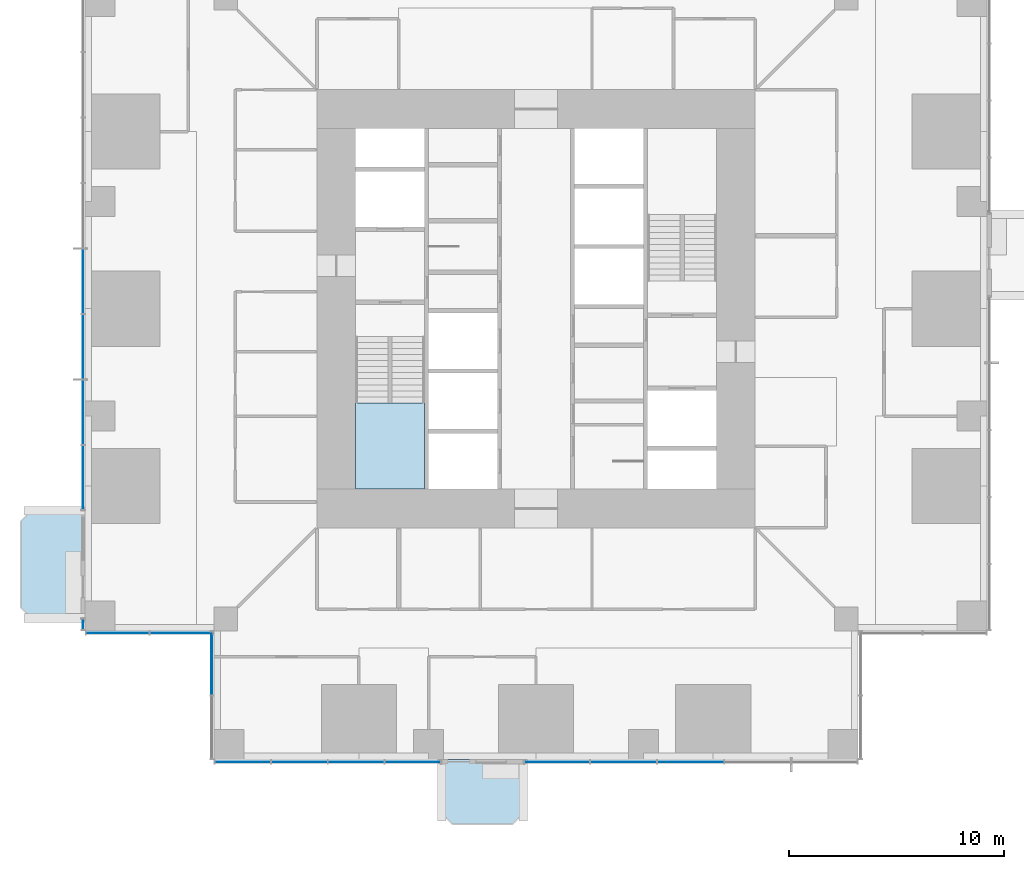
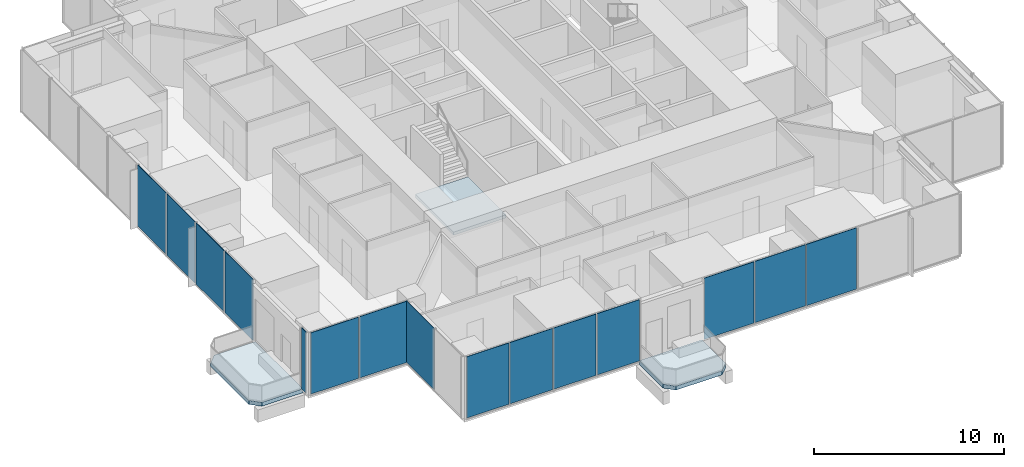
# One storey, part 8 of 17: 15 plates, 3 slabs, 7 elements without a shape of their own.
"""IFC4 building model written with IfcOpenShell, lengths in metres."""

from ifc_helpers import new_model, si_unit, direction, frame, origin, origin_2d, place, context, subcontext, project, spatial, polyline, rectangle, outline, extrude, material, layer, layer_set, type_object, element, aggregate, save


model = new_model("IFC4")

# Units and contexts
model_context = context("Model", 3, precision=1e-05, world=origin(), true_north=direction((0.0, 1.0)))
body_context = subcontext(model_context, "Body", "Model", "MODEL_VIEW")
ifc_project = project(units=[si_unit("LENGTHUNIT", "METRE"), si_unit("AREAUNIT", "SQUARE_METRE"), si_unit("VOLUMEUNIT", "CUBIC_METRE"), si_unit("PLANEANGLEUNIT", "RADIAN"), si_unit("MASSUNIT", "GRAM", prefix="KILO")], contexts=[model_context])

# Site, building, storey
site_placement = place(None, origin())
site = spatial("IfcSite", under=ifc_project, at=site_placement, CompositionType="ELEMENT")
building_placement = place(site_placement, origin())
building = spatial("IfcBuilding", under=site, at=building_placement, Name="Svetlomir Tower", CompositionType="ELEMENT")
storey_placement = place(building_placement, frame((0.0, 0.0, 70.5)))
storey = spatial("IfcBuildingStorey", under=building, at=storey_placement, Name="L16", CompositionType="ELEMENT", Elevation=70.5)

# Slabs
ifc_material_1 = material(Name="Concrete C60/75", Category="concrete")
ifc_layer_1 = layer(ifc_material_1, 0.25)
ifc_layer_set_1 = layer_set([ifc_layer_1], Name="Concrete C60/75")
slab_type_1 = type_object("IfcSlabType", Name="BALCONY SLAB 250", PredefinedType="FLOOR", material=ifc_layer_set_1)
slab_1_placement = place(storey_placement, frame((0.0, 0.0, -0.25)))
element("IfcSlab", 1, at=slab_1_placement, inside=storey, type_object=slab_type_1, Name="L16 S planted balcony", PredefinedType="FLOOR", context=body_context, shape_type="SweptSolid", body=[
    extrude(outline(polyline([(16.60009765625, -2.5), (17.10009765625, -3.0), (19.89990234375, -3.0), (20.39990234375, -2.5), (20.39990234375, 0.0), (16.60009765625, 0.0), (16.60009765625, -2.5)])), origin(), (0.0, 0.0, 1.0), 0.25),
])
slab_2_placement = place(storey_placement, frame((0.0, 0.0, -0.25)))
element("IfcSlab", 2, at=slab_2_placement, inside=storey, type_object=slab_type_1, Name="L16 W planted balcony", PredefinedType="FLOOR", context=body_context, shape_type="SweptSolid", body=[
    extrude(outline(polyline([(-2.5, 6.60009765625), (0.0, 6.60009765625), (0.0, 11.60009765625), (-2.5, 11.60009765625), (-3.0, 11.10009765625), (-3.0, 7.10009765625), (-2.5, 6.60009765625)])), origin(), (0.0, 0.0, 1.0), 0.25),
])

# Curtain wall, plates
ifc_material_2 = material(Name="Bronze anodised aluminium curtain wall", Category="aluminium")
curtain_wall_type = type_object("IfcCurtainWallType", Name="CURTAIN WALL CW1 TOWER OFFICE", PredefinedType="NOTDEFINED", material=ifc_material_2)
curtain_wall_1_placement = place(storey_placement, origin())
curtain_wall_1 = element("IfcCurtainWall", 3, at=curtain_wall_1_placement, inside=storey, type_object=curtain_wall_type, Name="Curtain wall CW1 L16", PredefinedType="NOTDEFINED")
ifc_material_3 = material(Name="Tinted double glazed unit", Category="glass")
ifc_layer_2 = layer(ifc_material_3, 0.031982421875)
ifc_layer_set_2 = layer_set([ifc_layer_2], Name="Tinted double glazed unit")
plate_type = type_object("IfcPlateType", Name="CW1 GLAZED PANEL 32", PredefinedType="CURTAIN_PANEL", material=ifc_layer_set_2)
plate_1_placement = place(storey_placement, frame((7.34130859375, -0.10009765625, 0.06494140625), z_axis=(0.0, 0.0, 1.0), x_axis=(1.0, 0.0, 0.0)))
plate_1 = element("IfcPlate", 4, at=plate_1_placement, type_object=plate_type, Name="CW1 panel 1.1", PredefinedType="CURTAIN_PANEL", context=body_context, shape_type="SweptSolid", body=[
    extrude(rectangle(XDim=2.552490234375, YDim=0.031982421875, at=origin_2d()), origin(), (0.0, 0.0, 1.0), 3.93505859375),
])
plate_2_placement = place(storey_placement, frame((9.97509765625, -0.10009765625, 0.06494140625), z_axis=(0.0, 0.0, 1.0), x_axis=(1.0, 0.0, 0.0)))
plate_2 = element("IfcPlate", 5, at=plate_2_placement, type_object=plate_type, Name="CW1 panel 2.1", PredefinedType="CURTAIN_PANEL", context=body_context, shape_type="SweptSolid", body=[
    extrude(rectangle(XDim=2.5849609375, YDim=0.031982421875, at=origin_2d()), origin(), (0.0, 0.0, 1.0), 3.93505859375),
])
plate_3_placement = place(storey_placement, frame((12.625, -0.10009765625, 0.06494140625), z_axis=(0.0, 0.0, 1.0), x_axis=(1.0, 0.0, 0.0)))
plate_3 = element("IfcPlate", 6, at=plate_3_placement, type_object=plate_type, Name="CW1 panel 3.1", PredefinedType="CURTAIN_PANEL", context=body_context, shape_type="SweptSolid", body=[
    extrude(rectangle(XDim=2.5849609375, YDim=0.031982421875, at=origin_2d()), origin(), (0.0, 0.0, 1.0), 3.93505859375),
])
plate_4_placement = place(storey_placement, frame((15.2587890625, -0.10009765625, 0.06494140625), z_axis=(0.0, 0.0, 1.0), x_axis=(1.0, 0.0, 0.0)))
plate_4 = element("IfcPlate", 7, at=plate_4_placement, type_object=plate_type, Name="CW1 panel 4.1", PredefinedType="CURTAIN_PANEL", context=body_context, shape_type="SweptSolid", body=[
    extrude(rectangle(XDim=2.552490234375, YDim=0.031982421875, at=origin_2d()), origin(), (0.0, 0.0, 1.0), 3.93505859375),
])
aggregate(curtain_wall_1, [plate_1, plate_2, plate_3, plate_4])

curtain_wall_2_placement = place(storey_placement, origin())
curtain_wall_2 = element("IfcCurtainWall", 8, at=curtain_wall_2_placement, inside=storey, type_object=curtain_wall_type, Name="Curtain wall CW1 L16", PredefinedType="NOTDEFINED")
plate_5_placement = place(storey_placement, frame((21.976318359375, -0.10009765625, 0.06494140625), z_axis=(0.0, 0.0, 1.0), x_axis=(1.0, 0.0, 0.0)))
plate_5 = element("IfcPlate", 9, at=plate_5_placement, type_object=plate_type, Name="CW1 panel 1.1", PredefinedType="CURTAIN_PANEL", context=body_context, shape_type="SweptSolid", body=[
    extrude(rectangle(XDim=3.0224609375, YDim=0.031982421875, at=origin_2d()), origin(), (0.0, 0.0, 1.0), 3.93505859375),
])
plate_6_placement = place(storey_placement, frame((25.080078125, -0.10009765625, 0.06494140625), z_axis=(0.0, 0.0, 1.0), x_axis=(1.0, 0.0, 0.0)))
plate_6 = element("IfcPlate", 10, at=plate_6_placement, type_object=plate_type, Name="CW1 panel 2.1", PredefinedType="CURTAIN_PANEL", context=body_context, shape_type="SweptSolid", body=[
    extrude(rectangle(XDim=3.054931640625, YDim=0.031982421875, at=origin_2d()), origin(), (0.0, 0.0, 1.0), 3.93505859375),
])
plate_7_placement = place(storey_placement, frame((28.199951171875, -0.10009765625, 0.06494140625), z_axis=(0.0, 0.0, 1.0), x_axis=(1.0, 0.0, 0.0)))
plate_7 = element("IfcPlate", 11, at=plate_7_placement, type_object=plate_type, Name="CW1 panel 3.1", PredefinedType="CURTAIN_PANEL", context=body_context, shape_type="SweptSolid", body=[
    extrude(rectangle(XDim=3.054931640625, YDim=0.031982421875, at=origin_2d()), origin(), (0.0, 0.0, 1.0), 3.93505859375),
])
aggregate(curtain_wall_2, [plate_5, plate_6, plate_7])

curtain_wall_3_placement = place(storey_placement, origin())
curtain_wall_3 = element("IfcCurtainWall", 12, at=curtain_wall_3_placement, inside=storey, type_object=curtain_wall_type, Name="Curtain wall CW1 L16", PredefinedType="NOTDEFINED")
plate_8_placement = place(storey_placement, frame((-0.10009765625, 22.27490234375, 0.06494140625), z_axis=(0.0, 0.0, 1.0), x_axis=(0.0, -1.0, 0.0)))
plate_8 = element("IfcPlate", 13, at=plate_8_placement, type_object=plate_type, Name="CW1 panel 5.1", PredefinedType="CURTAIN_PANEL", context=body_context, shape_type="SweptSolid", body=[
    extrude(rectangle(XDim=2.985107421875, YDim=0.031982421875, at=origin_2d()), origin(), (0.0, 0.0, 1.0), 3.93505859375),
])
plate_9_placement = place(storey_placement, frame((-0.10009765625, 19.22509765625, 0.06494140625), z_axis=(0.0, 0.0, 1.0), x_axis=(0.0, -1.0, 0.0)))
plate_9 = element("IfcPlate", 14, at=plate_9_placement, type_object=plate_type, Name="CW1 panel 6.1", PredefinedType="CURTAIN_PANEL", context=body_context, shape_type="SweptSolid", body=[
    extrude(rectangle(XDim=2.985107421875, YDim=0.031982421875, at=origin_2d()), origin(), (0.0, 0.0, 1.0), 3.93505859375),
])
plate_10_placement = place(storey_placement, frame((-0.10009765625, 16.175048828125, 0.06494140625), z_axis=(0.0, 0.0, 1.0), x_axis=(0.0, -1.0, 0.0)))
plate_10 = element("IfcPlate", 15, at=plate_10_placement, type_object=plate_type, Name="CW1 panel 7.1", PredefinedType="CURTAIN_PANEL", context=body_context, shape_type="SweptSolid", body=[
    extrude(rectangle(XDim=2.985107421875, YDim=0.031982421875, at=origin_2d()), origin(), (0.0, 0.0, 1.0), 3.93505859375),
])
plate_11_placement = place(storey_placement, frame((-0.10009765625, 13.141357421875, 0.06494140625), z_axis=(0.0, 0.0, 1.0), x_axis=(0.0, -1.0, 0.0)))
plate_11 = element("IfcPlate", 16, at=plate_11_placement, type_object=plate_type, Name="CW1 panel 8.1", PredefinedType="CURTAIN_PANEL", context=body_context, shape_type="SweptSolid", body=[
    extrude(rectangle(XDim=2.952392578125, YDim=0.031982421875, at=origin_2d()), origin(), (0.0, 0.0, 1.0), 3.93505859375),
])
aggregate(curtain_wall_3, [plate_8, plate_9, plate_10, plate_11])

# Curtain wall, plate
curtain_wall_4_placement = place(storey_placement, origin())
curtain_wall_4 = element("IfcCurtainWall", 17, at=curtain_wall_4_placement, inside=storey, type_object=curtain_wall_type, Name="Curtain wall CW1 L16", PredefinedType="NOTDEFINED")
plate_12_placement = place(storey_placement, frame((-0.10009765625, 6.300048828125, 0.06494140625), z_axis=(0.0, 0.0, 1.0), x_axis=(0.0, -1.0, 0.0)))
plate_12 = element("IfcPlate", 18, at=plate_12_placement, type_object=plate_type, Name="CW1 panel 1.1", PredefinedType="CURTAIN_PANEL", context=body_context, shape_type="SweptSolid", body=[
    extrude(rectangle(XDim=0.469970703125, YDim=0.031982421875, at=origin_2d()), origin(), (0.0, 0.0, 1.0), 3.93505859375),
])
aggregate(curtain_wall_4, [plate_12])

# Curtain wall, plates
curtain_wall_5_placement = place(storey_placement, origin())
curtain_wall_5 = element("IfcCurtainWall", 19, at=curtain_wall_5_placement, inside=storey, type_object=curtain_wall_type, Name="Curtain wall CW1 L16", PredefinedType="NOTDEFINED")
plate_13_placement = place(storey_placement, frame((1.516357421875, 5.89990234375, 0.06494140625), z_axis=(0.0, 0.0, 1.0), x_axis=(1.0, 0.0, 0.0)))
plate_13 = element("IfcPlate", 20, at=plate_13_placement, type_object=plate_type, Name="CW1 panel 1.1", PredefinedType="CURTAIN_PANEL", context=body_context, shape_type="SweptSolid", body=[
    extrude(rectangle(XDim=2.902587890625, YDim=0.031982421875, at=origin_2d()), origin(), (0.0, 0.0, 1.0), 3.93505859375),
])
plate_14_placement = place(storey_placement, frame((4.483642578125, 5.89990234375, 0.06494140625), z_axis=(0.0, 0.0, 1.0), x_axis=(1.0, 0.0, 0.0)))
plate_14 = element("IfcPlate", 21, at=plate_14_placement, type_object=plate_type, Name="CW1 panel 2.1", PredefinedType="CURTAIN_PANEL", context=body_context, shape_type="SweptSolid", body=[
    extrude(rectangle(XDim=2.902587890625, YDim=0.031982421875, at=origin_2d()), origin(), (0.0, 0.0, 1.0), 3.93505859375),
])
aggregate(curtain_wall_5, [plate_13, plate_14])

# Curtain wall, plate
curtain_wall_6_placement = place(storey_placement, origin())
curtain_wall_6 = element("IfcCurtainWall", 22, at=curtain_wall_6_placement, inside=storey, type_object=curtain_wall_type, Name="Curtain wall CW1 L16", PredefinedType="NOTDEFINED")
plate_15_placement = place(storey_placement, frame((5.89990234375, 4.483642578125, 0.06494140625), z_axis=(0.0, 0.0, 1.0), x_axis=(0.0, -1.0, 0.0)))
plate_15 = element("IfcPlate", 23, at=plate_15_placement, type_object=plate_type, Name="CW1 panel 1.1", PredefinedType="CURTAIN_PANEL", context=body_context, shape_type="SweptSolid", body=[
    extrude(rectangle(XDim=2.902587890625, YDim=0.031982421875, at=origin_2d()), origin(), (0.0, 0.0, 1.0), 3.93505859375),
])
aggregate(curtain_wall_6, [plate_15])

# Stair, slab
ifc_material_4 = material(Name="Concrete C60/75", Category="concrete")
stair_type = type_object("IfcStairType", Name="EXIT STAIR 3200 RISE 4000", PredefinedType="HALF_TURN_STAIR", material=ifc_material_4)
stair_placement = place(storey_placement, origin())
stair = element("IfcStair", 24, at=stair_placement, inside=storey, type_object=stair_type, Name="Stair S1 L16 to L17", PredefinedType="HALF_TURN_STAIR")
ifc_material_5 = material(Name="Concrete C60/75", Category="concrete")
ifc_layer_3 = layer(ifc_material_5, 0.199951171875)
ifc_layer_set_3 = layer_set([ifc_layer_3], Name="Concrete C60/75")
slab_type_2 = type_object("IfcSlabType", Name="STAIR LANDING 200", PredefinedType="LANDING", material=ifc_layer_set_3)
slab_3_placement = place(storey_placement, frame((0.0, 0.0, 1.800048828125)))
slab_3 = element("IfcSlab", 25, at=slab_3_placement, type_object=slab_type_2, Name="S1 landing 1", PredefinedType="LANDING", context=body_context, shape_type="SweptSolid", body=[
    extrude(outline(polyline([(12.60009765625, 12.60009765625), (15.800048828125, 12.60009765625), (15.800048828125, 16.6201171875), (12.60009765625, 16.6201171875), (12.60009765625, 12.60009765625)])), origin(), (0.0, 0.0, 1.0), 0.199951171875),
])
aggregate(stair, [slab_3])

save(model, "model.ifc")
